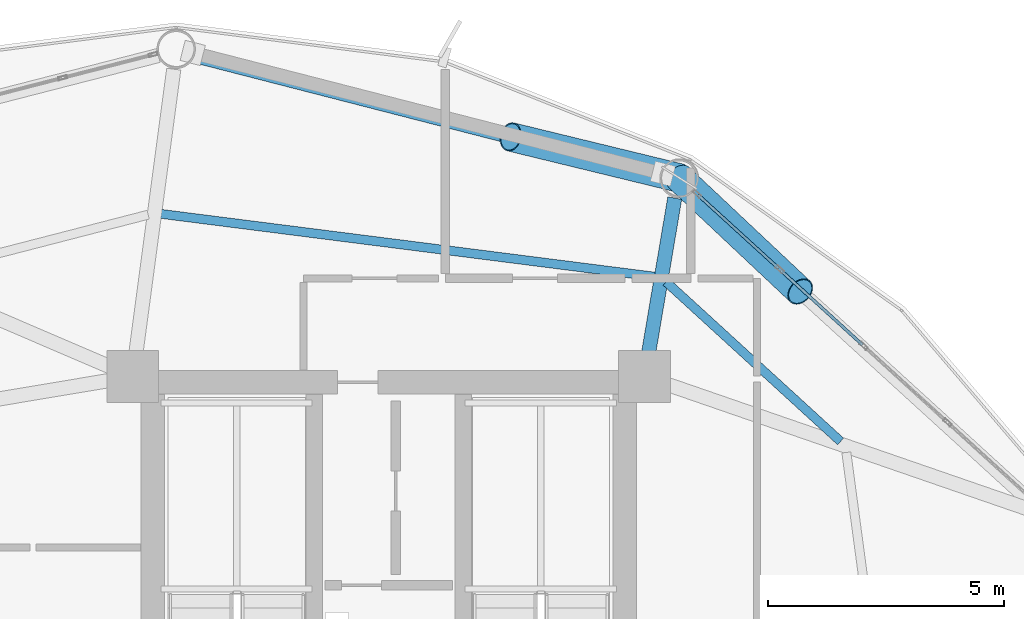
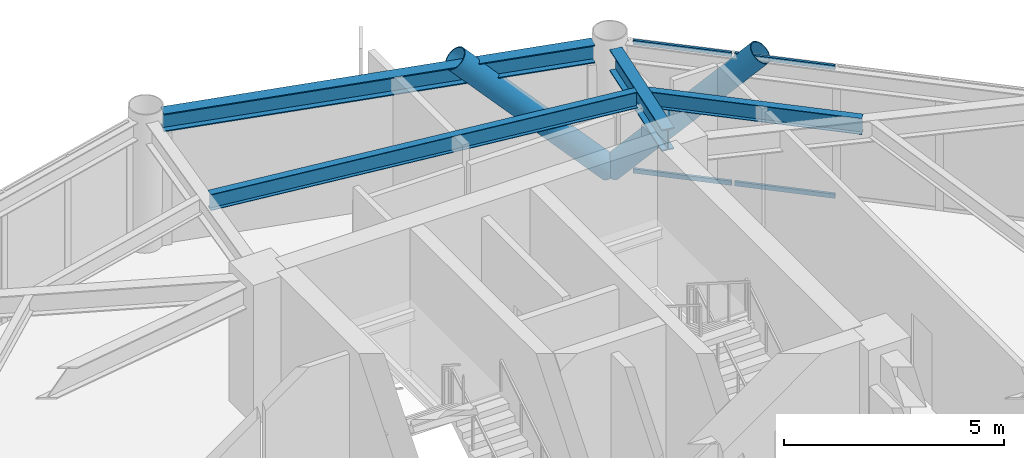
# One storey, part 17 of 24: 6 members, 4 beams, 1 element without a shape of its own.
"""IFC4 building model written with IfcOpenShell, lengths in metres."""

from ifc_helpers import new_model, si_unit, direction, frame, origin, origin_2d, place, context, subcontext, project, spatial, hollow_rectangle, hollow_circle, i_section, extrude, material, layer, layer_set, material_profile, profile_set, type_object, element, aggregate, save


model = new_model("IFC4")

# Units and contexts
model_context = context("Model", 3, precision=1e-05, world=origin(), true_north=direction((0.0, 1.0)))
body_context = subcontext(model_context, "Body", "Model", "MODEL_VIEW")
ifc_project = project(units=[si_unit("LENGTHUNIT", "METRE"), si_unit("AREAUNIT", "SQUARE_METRE"), si_unit("VOLUMEUNIT", "CUBIC_METRE"), si_unit("PLANEANGLEUNIT", "RADIAN"), si_unit("MASSUNIT", "GRAM", prefix="KILO")], contexts=[model_context])

# Site, building, storey
site_placement = place(None, origin())
site = spatial("IfcSite", under=ifc_project, at=site_placement, CompositionType="ELEMENT")
building_placement = place(site_placement, origin())
building = spatial("IfcBuilding", under=site, at=building_placement, Name="Varnakorn Sky Granary", CompositionType="ELEMENT")
storey_placement = place(building_placement, frame((0.0, 0.0, 111.0)))
storey = spatial("IfcBuildingStorey", under=building, at=storey_placement, Name="L27", CompositionType="ELEMENT", Elevation=111.0)

# Beams
ifc_material_1 = material(Name="Steel S355JR", Category="steel")
ifc_material_profile_1 = material_profile(ifc_material_1, i_section(OverallWidth=0.300048828125, OverallDepth=0.60009765625, WebThickness=0.015380859375, FlangeThickness=0.030029296875, at=origin_2d()), Name="HE 600 B")
ifc_profile_set_1 = profile_set([ifc_material_profile_1], Name="Steel S355JR")
beam_type_1 = type_object("IfcBeamType", Name="BM-RAD-Z2", PredefinedType="BEAM", material=ifc_profile_set_1)
beam_1_placement = place(storey_placement, frame((8.489990234375, 13.0341796875, 3.340087890625), z_axis=(0.166672143457, 0.986012371421, 0.0), x_axis=(-0.986012371421, 0.166672143457, 0.0)))
element("IfcBeam", 1, at=beam_1_placement, inside=storey, type_object=beam_type_1, Name="Radial Floor Girder RG03 L27", PredefinedType="BEAM", context=body_context, shape_type="SweptSolid", body=[
    extrude(i_section(OverallWidth=0.300048828125, OverallDepth=0.60009765625, WebThickness=0.015380859375, FlangeThickness=0.030029296875, at=origin_2d()), origin(), (0.0, 0.0, 1.0), 3.4130859375),
])
ifc_material_profile_2 = material_profile(ifc_material_1, i_section(OverallWidth=0.18994140625, OverallDepth=0.449951171875, WebThickness=0.009521484375, FlangeThickness=0.0146484375, at=origin_2d()), Name="IPE 450")
ifc_profile_set_2 = profile_set([ifc_material_profile_2], Name="Steel S355JR")
beam_type_2 = type_object("IfcBeamType", Name="BM-SEC-Z2", PredefinedType="BEAM", material=ifc_profile_set_2)
beam_2_placement = place(storey_placement, frame((12.57080078125, 11.245361328125, 3.4150390625), z_axis=(-0.737989937945, 0.674811715585, 0.0), x_axis=(-0.674811715585, -0.737989937945, 0.0)))
element("IfcBeam", 2, at=beam_2_placement, inside=storey, type_object=beam_type_2, Name="Secondary Floor Chord Beam MSB02 L27", PredefinedType="BEAM", context=body_context, shape_type="SweptSolid", body=[
    extrude(i_section(OverallWidth=0.18994140625, OverallDepth=0.449951171875, WebThickness=0.009521484375, FlangeThickness=0.0146484375, at=origin_2d()), origin(), (0.0, 0.0, 1.0), 5.00439453125),
])
beam_3_placement = place(storey_placement, frame((8.635498046875, 14.734375, 3.4150390625), z_axis=(-0.991998491971, 0.126249720506, 0.0), x_axis=(-0.126249720506, -0.991998491971, 0.0)))
element("IfcBeam", 3, at=beam_3_placement, inside=storey, type_object=beam_type_2, Name="Secondary Floor Chord Beam MSB03 L27", PredefinedType="BEAM", context=body_context, shape_type="SweptSolid", body=[
    extrude(i_section(OverallWidth=0.18994140625, OverallDepth=0.449951171875, WebThickness=0.009521484375, FlangeThickness=0.0146484375, at=origin_2d()), origin(), (0.0, 0.0, 1.0), 10.5390625),
])
ifc_material_profile_3 = material_profile(ifc_material_1, i_section(OverallWidth=0.300048828125, OverallDepth=0.5, WebThickness=0.014404296875, FlangeThickness=0.028076171875, at=origin_2d()), Name="HE 500 B")
ifc_profile_set_3 = profile_set([ifc_material_profile_3], Name="Steel S355JR")
beam_type_3 = type_object("IfcBeamType", Name="BM-SPD-Z2", PredefinedType="SPANDREL", material=ifc_profile_set_3)
beam_4_placement = place(storey_placement, frame((8.744873046875, 16.8828125, 3.389892578125), z_axis=(-0.968499538733, 0.24901534787, 0.0), x_axis=(-0.24901534787, -0.968499538733, 0.0)))
element("IfcBeam", 4, at=beam_4_placement, inside=storey, type_object=beam_type_3, Name="Perimeter Spandrel Ring Beam RB03 L27", PredefinedType="SPANDREL", context=body_context, shape_type="SweptSolid", body=[
    extrude(i_section(OverallWidth=0.300048828125, OverallDepth=0.5, WebThickness=0.014404296875, FlangeThickness=0.028076171875, at=origin_2d()), origin(), (0.0, 0.0, 1.0), 10.1865234375),
])

# Curtain wall, members
ifc_material_2 = material(Name="Anodised Bronze Aluminium Alloy 6063-T6", Category="aluminium")
ifc_layer = layer(ifc_material_2, 0.179931640625, Name="Anodised Bronze Aluminium Alloy 6063-T6")
ifc_layer_set = layer_set([ifc_layer], Name="Anodised Bronze Aluminium Alloy 6063-T6")
curtain_wall_type = type_object("IfcCurtainWallType", Name="CW-FRM-2", PredefinedType="USERDEFINED", material=ifc_layer_set)
curtain_wall_placement = place(storey_placement, origin())
curtain_wall = element("IfcCurtainWall", 5, at=curtain_wall_placement, inside=storey, type_object=curtain_wall_type, Name="Unitised Curtain Wall CW4 CW-L27-B02", ObjectType="CURTAIN WALL", PredefinedType="USERDEFINED")
ifc_material_profile_4 = material_profile(ifc_material_2, hollow_rectangle(XDim=0.06494140625, YDim=0.1201171875, WallThickness=0.00341796875, at=origin_2d()), Name="ALU TRAN 65x120")
ifc_profile_set_4 = profile_set([ifc_material_profile_4], Name="Anodised Bronze Aluminium Alloy 6063-T6")
member_type_1 = type_object("IfcMemberType", Name="CW-FRM-2-TRAN", PredefinedType="USERDEFINED", material=ifc_profile_set_4)
member_1_placement = place(storey_placement, frame((9.553955078125, 16.464599609375, 0.032470703125), z_axis=(0.739031973261, -0.673670351506, 0.0), x_axis=(0.673670351506, 0.739031973261, 0.0)))
member_1 = element("IfcMember", 6, at=member_1_placement, type_object=member_type_1, Name="CW4 transom 1.1", ObjectType="TRANSOM", PredefinedType="USERDEFINED", context=body_context, shape_type="SweptSolid", body=[
    extrude(hollow_rectangle(XDim=0.06494140625, YDim=0.1201171875, WallThickness=0.00341796875, at=origin_2d()), origin(), (0.0, 0.0, 1.0), 2.30078125),
])
member_2_placement = place(storey_placement, frame((9.553955078125, 16.464599609375, 3.607421875), z_axis=(0.739031973261, -0.673670351506, 0.0), x_axis=(0.673670351506, 0.739031973261, 0.0)))
member_2 = element("IfcMember", 7, at=member_2_placement, type_object=member_type_1, Name="CW4 transom 1.2", ObjectType="TRANSOM", PredefinedType="USERDEFINED", context=body_context, shape_type="SweptSolid", body=[
    extrude(hollow_rectangle(XDim=0.06494140625, YDim=0.1201171875, WallThickness=0.00341796875, at=origin_2d()), origin(), (0.0, 0.0, 1.0), 2.30078125),
])
member_3_placement = place(storey_placement, frame((11.30615234375, 14.867431640625, 0.032470703125), z_axis=(0.739064502056, -0.673634664934, 0.0), x_axis=(0.673634664934, 0.739064502056, 0.0)))
member_3 = element("IfcMember", 8, at=member_3_placement, type_object=member_type_1, Name="CW4 transom 2.1", ObjectType="TRANSOM", PredefinedType="USERDEFINED", context=body_context, shape_type="SweptSolid", body=[
    extrude(hollow_rectangle(XDim=0.06494140625, YDim=0.1201171875, WallThickness=0.00341796875, at=origin_2d()), origin(), (0.0, 0.0, 1.0), 2.3359375),
])
member_4_placement = place(storey_placement, frame((11.30615234375, 14.867431640625, 3.607421875), z_axis=(0.739064502056, -0.673634664934, 0.0), x_axis=(0.673634664934, 0.739064502056, 0.0)))
member_4 = element("IfcMember", 9, at=member_4_placement, type_object=member_type_1, Name="CW4 transom 2.2", ObjectType="TRANSOM", PredefinedType="USERDEFINED", context=body_context, shape_type="SweptSolid", body=[
    extrude(hollow_rectangle(XDim=0.06494140625, YDim=0.1201171875, WallThickness=0.00341796875, at=origin_2d()), origin(), (0.0, 0.0, 1.0), 2.3359375),
])
aggregate(curtain_wall, [member_1, member_2, member_3, member_4])

# Members
ifc_material_3 = material(Name="Steel S460M", Category="steel")
ifc_material_profile_5 = material_profile(ifc_material_3, hollow_circle(Radius=0.304931640625, WallThickness=0.022216796875, at=origin_2d()), Name="CHS 610x22")
ifc_profile_set_5 = profile_set([ifc_material_profile_5], Name="Steel S460M")
member_type_2 = type_object("IfcMemberType", Name="MB-DIAG-T1", PredefinedType="BRACE", material=ifc_profile_set_5)
member_5_placement = place(storey_placement, frame((9.157470703125, 16.825927734375, 0.0), z_axis=(0.495220752272, -0.465548141602, 0.733499375848), x_axis=(0.684941747241, 0.728597833435, 0.0)))
element("IfcMember", 10, at=member_5_placement, inside=storey, type_object=member_type_2, Name="Perimeter CHS Diagrid Brace DG02 L27", PredefinedType="BRACE", context=body_context, shape_type="SweptSolid", body=[
    extrude(hollow_circle(Radius=0.304931640625, WallThickness=0.022216796875, at=origin_2d()), origin(), (0.0, 0.0, 1.0), 5.1669921875),
])
member_6_placement = place(storey_placement, frame((9.157470703125, 16.825927734375, 0.0), z_axis=(-0.676770504624, 0.164686061192, 0.717537584605), x_axis=(-0.236441324563, -0.971645768806, 0.0)))
element("IfcMember", 11, at=member_6_placement, inside=storey, type_object=member_type_2, Name="Perimeter CHS Diagrid Brace DG03 L27", PredefinedType="BRACE", context=body_context, shape_type="SweptSolid", body=[
    extrude(hollow_circle(Radius=0.304931640625, WallThickness=0.022216796875, at=origin_2d()), origin(), (0.0, 0.0, 1.0), 5.281982421875),
])

save(model, "model.ifc")
